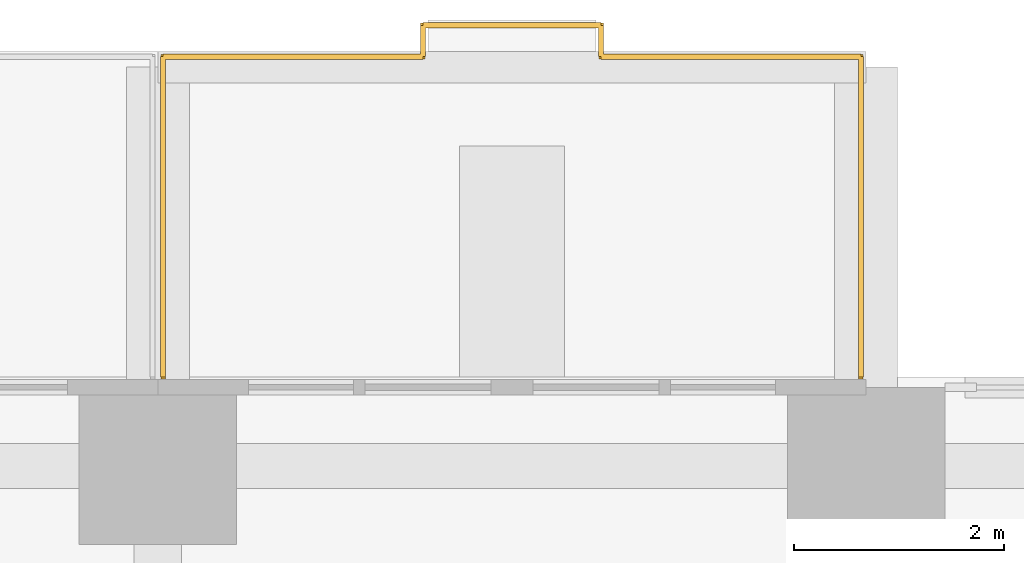
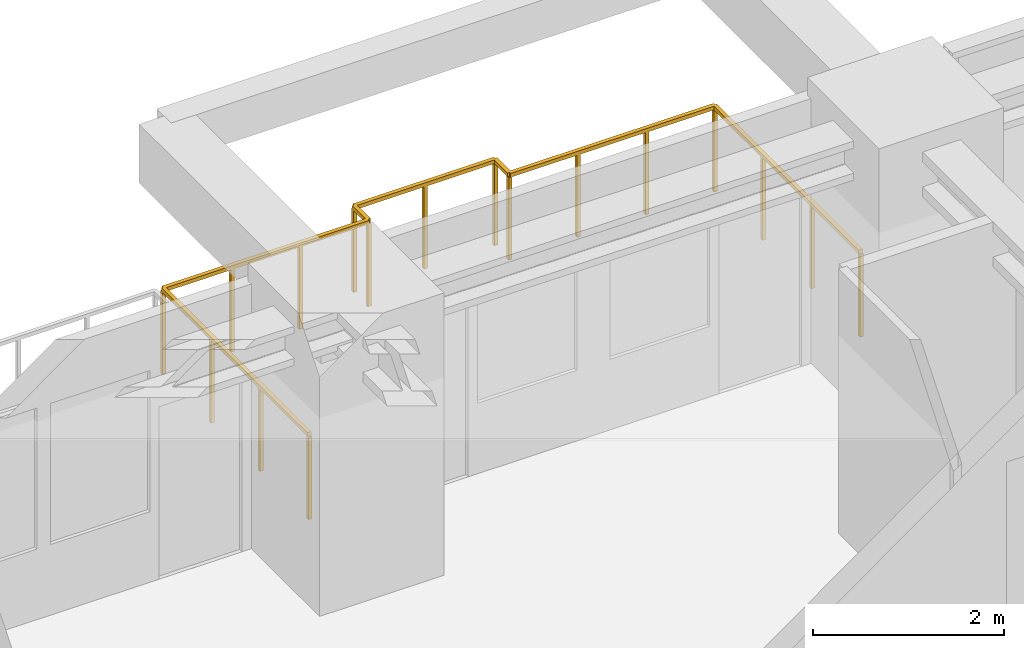
# One storey, part 11 of 11: 1 railing.
"""IFC4 building model written with IfcOpenShell, lengths in metres."""

from ifc_helpers import new_model, si_unit, direction, frame, origin, origin_2d, place, context, subcontext, project, spatial, rectangle, extrude, material, type_object, element, save


model = new_model("IFC4")

# Units and contexts
model_context = context("Model", 3, precision=1e-05, world=origin(), true_north=direction((0.0, 1.0)))
body_context = subcontext(model_context, "Body", "Model", "MODEL_VIEW")
ifc_project = project(units=[si_unit("LENGTHUNIT", "METRE"), si_unit("AREAUNIT", "SQUARE_METRE"), si_unit("VOLUMEUNIT", "CUBIC_METRE"), si_unit("PLANEANGLEUNIT", "RADIAN"), si_unit("MASSUNIT", "GRAM", prefix="KILO")], contexts=[model_context])

# Site, building, storey
site_placement = place(None, origin())
site = spatial("IfcSite", under=ifc_project, at=site_placement, CompositionType="ELEMENT")
building_placement = place(site_placement, origin())
building = spatial("IfcBuilding", under=site, at=building_placement, Name="Nyansa Garden Tower", CompositionType="ELEMENT")
storey_placement = place(building_placement, frame((0.0, 0.0, 108.89990234375)))
storey = spatial("IfcBuildingStorey", under=building, at=storey_placement, Name="L29", CompositionType="ELEMENT", Elevation=108.89990234375)

# Railing
ifc_material = material(Name="Black powder-coated steel balusters, laminated glass infill", Category="steel")
railing_type = type_object("IfcRailingType", Name="Balcony guard G1", PredefinedType="GUARDRAIL", material=ifc_material)
railing_placement = place(storey_placement, frame((20.300048828125, 34.60009765625, 0.0)))
element("IfcRailing", 1, at=railing_placement, inside=storey, type_object=railing_type, Name="Balcony guard L29", PredefinedType="GUARDRAIL", context=body_context, shape_type="SweptSolid", body=[
    extrude(rectangle(XDim=0.048095703125, YDim=0.048095703125, at=origin_2d()), frame((0.0, 0.0, 1.076171875), z_axis=(0.0, 1.0, 0.0), x_axis=(-1.0, 0.0, 0.0)), (0.0, 0.0, 1.0), 3.0498046875),
    extrude(rectangle(XDim=0.048095703125, YDim=0.048095703125, at=origin_2d()), frame((0.0, 3.0498046875, 1.076171875), z_axis=(1.0, 0.0, 0.0), x_axis=(0.0, 1.0, 0.0)), (0.0, 0.0, 1.0), 2.474853515625),
    extrude(rectangle(XDim=0.048095703125, YDim=0.048095703125, at=origin_2d()), frame((2.474853515625, 3.0498046875, 1.076171875), z_axis=(0.0, 1.0, 0.0), x_axis=(-1.0, 0.0, 0.0)), (0.0, 0.0, 1.0), 0.300048828125),
    extrude(rectangle(XDim=0.048095703125, YDim=0.048095703125, at=origin_2d()), frame((2.474853515625, 3.349853515625, 1.076171875), z_axis=(1.0, 0.0, 0.0), x_axis=(0.0, 1.0, 0.0)), (0.0, 0.0, 1.0), 1.7001953125),
    extrude(rectangle(XDim=0.048095703125, YDim=0.048095703125, at=origin_2d()), frame((4.175048828125, 3.349853515625, 1.076171875), z_axis=(0.0, -1.0, 0.0), x_axis=(1.0, 0.0, 0.0)), (0.0, 0.0, 1.0), 0.300048828125),
    extrude(rectangle(XDim=0.048095703125, YDim=0.048095703125, at=origin_2d()), frame((4.175048828125, 3.0498046875, 1.076171875), z_axis=(1.0, 0.0, 0.0), x_axis=(0.0, 1.0, 0.0)), (0.0, 0.0, 1.0), 2.474853515625),
    extrude(rectangle(XDim=0.048095703125, YDim=0.048095703125, at=origin_2d()), frame((6.64990234375, 3.0498046875, 1.076171875), z_axis=(0.0, -1.0, 0.0), x_axis=(1.0, 0.0, 0.0)), (0.0, 0.0, 1.0), 3.0498046875),
    extrude(rectangle(XDim=0.0419921875, YDim=0.0419921875, at=origin_2d()), origin(), (0.0, 0.0, 1.0), 1.052001953125),
    extrude(rectangle(XDim=0.0419921875, YDim=0.0419921875, at=origin_2d()), frame((0.0, 1.0166015625, 0.0)), (0.0, 0.0, 1.0), 1.052001953125),
    extrude(rectangle(XDim=0.0419921875, YDim=0.0419921875, at=origin_2d()), frame((0.0, 2.033203125, 0.0)), (0.0, 0.0, 1.0), 1.052001953125),
    extrude(rectangle(XDim=0.0419921875, YDim=0.0419921875, at=origin_2d()), frame((0.0, 3.0498046875, 0.0)), (0.0, 0.0, 1.0), 1.052001953125),
    extrude(rectangle(XDim=0.0419921875, YDim=0.0419921875, at=origin_2d()), frame((0.824951171875, 3.0498046875, 0.0)), (0.0, 0.0, 1.0), 1.052001953125),
    extrude(rectangle(XDim=0.0419921875, YDim=0.0419921875, at=origin_2d()), frame((1.64990234375, 3.0498046875, 0.0)), (0.0, 0.0, 1.0), 1.052001953125),
    extrude(rectangle(XDim=0.0419921875, YDim=0.0419921875, at=origin_2d()), frame((2.474853515625, 3.0498046875, 0.0)), (0.0, 0.0, 1.0), 1.052001953125),
    extrude(rectangle(XDim=0.0419921875, YDim=0.0419921875, at=origin_2d()), frame((2.474853515625, 3.349853515625, 0.0)), (0.0, 0.0, 1.0), 1.052001953125),
    extrude(rectangle(XDim=0.0419921875, YDim=0.0419921875, at=origin_2d()), frame((3.324951171875, 3.349853515625, 0.0)), (0.0, 0.0, 1.0), 1.052001953125),
    extrude(rectangle(XDim=0.0419921875, YDim=0.0419921875, at=origin_2d()), frame((4.175048828125, 3.349853515625, 0.0)), (0.0, 0.0, 1.0), 1.052001953125),
    extrude(rectangle(XDim=0.0419921875, YDim=0.0419921875, at=origin_2d()), frame((4.175048828125, 3.0498046875, 0.0)), (0.0, 0.0, 1.0), 1.052001953125),
    extrude(rectangle(XDim=0.0419921875, YDim=0.0419921875, at=origin_2d()), frame((5.0, 3.0498046875, 0.0)), (0.0, 0.0, 1.0), 1.052001953125),
    extrude(rectangle(XDim=0.0419921875, YDim=0.0419921875, at=origin_2d()), frame((5.824951171875, 3.0498046875, 0.0)), (0.0, 0.0, 1.0), 1.052001953125),
    extrude(rectangle(XDim=0.0419921875, YDim=0.0419921875, at=origin_2d()), frame((6.64990234375, 3.0498046875, 0.0)), (0.0, 0.0, 1.0), 1.052001953125),
    extrude(rectangle(XDim=0.0419921875, YDim=0.0419921875, at=origin_2d()), frame((6.64990234375, 2.033203125, 0.0)), (0.0, 0.0, 1.0), 1.052001953125),
    extrude(rectangle(XDim=0.0419921875, YDim=0.0419921875, at=origin_2d()), frame((6.64990234375, 1.0166015625, 0.0)), (0.0, 0.0, 1.0), 1.052001953125),
    extrude(rectangle(XDim=0.0419921875, YDim=0.0419921875, at=origin_2d()), frame((6.64990234375, 0.0, 0.0)), (0.0, 0.0, 1.0), 1.052001953125),
])

save(model, "model.ifc")
